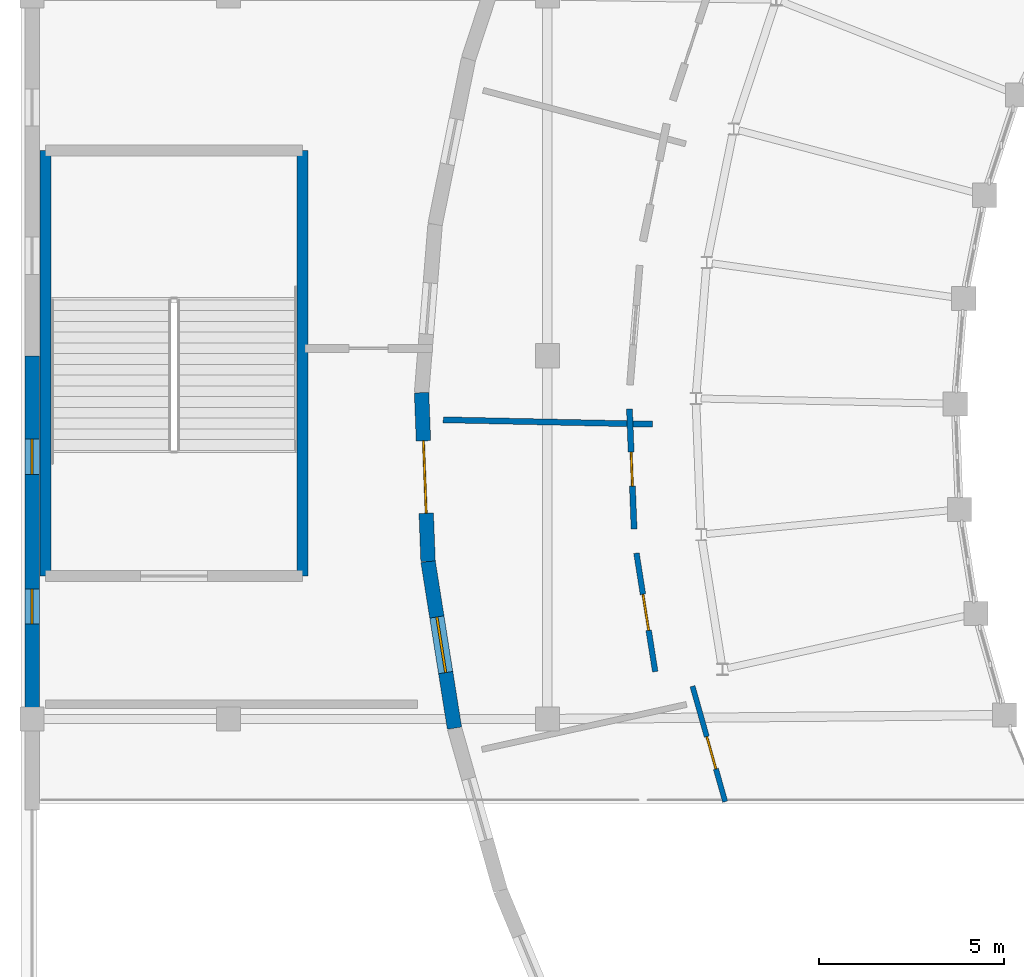
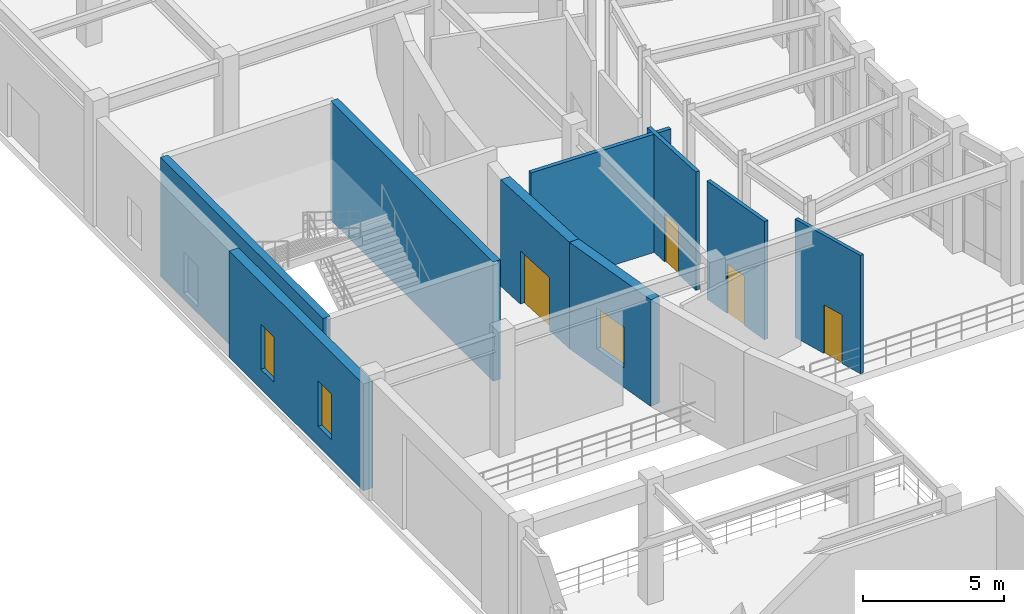
# One storey, part 52 of 93: 9 walls, 4 doors, 3 windows, 7 openings.
"""IFC4 building model written with IfcOpenShell, lengths in metres."""

import ifcopenshell
import ifcopenshell.guid

model = None  # the IFC model being written
_history = None  # IfcOwnerHistory: only IFC2X3 demands one
_inside = {}  # id of a spatial element -> (the spatial element, [elements in it])
_under = {}  # id of a project, library or spatial element -> (it, [spatial elements below it])
_declared = {}  # id of a project -> (the project, [libraries it declares])
_typed = {}  # id of a type object -> (the type object, [elements of that type])
_made_of = {}  # id of a material, layer set ... -> (it, [elements and type objects made of it])


def new_model(schema):
    """Start an empty IFC model of exactly this schema.

    Asked for "IFC4X3", IfcOpenShell would pick the latest addendum, in which some entities
    have other attributes; the version numbers below select the first issue.
    IFC2X3 requires an IfcOwnerHistory on every rooted entity: one is made here for all.
    """
    global model, _history
    if schema == "IFC4X3":
        model = ifcopenshell.file(schema_version=(4, 3, 0, 0))
    else:
        model = ifcopenshell.file(schema=schema)
    _inside.clear()
    _under.clear()
    _declared.clear()
    _typed.clear()
    _made_of.clear()
    _history = None
    if model.schema == "IFC2X3":
        org = make("IfcOrganization", Name="unknown")
        user = make(
            "IfcPersonAndOrganization",
            ThePerson=make("IfcPerson", FamilyName="unknown"),
            TheOrganization=org,
        )
        app = make(
            "IfcApplication",
            ApplicationDeveloper=org,
            Version="unknown",
            ApplicationFullName="unknown",
            ApplicationIdentifier="unknown",
        )
        _history = make(
            "IfcOwnerHistory",
            OwningUser=user,
            OwningApplication=app,
            ChangeAction="ADDED",
            CreationDate=0,
        )
    return model


def make(cls, **values):
    """One entity of the class cls with the attributes given. An attribute that is None is left unset."""
    return model.create_entity(
        cls, **{name: value for name, value in values.items() if value is not None}
    )


def rooted(cls, **values):
    """An entity with a GlobalId (a new one), such as an element, a storey or a relation."""
    return make(cls, GlobalId=ifcopenshell.guid.new(), OwnerHistory=_history, **values)


def si_unit(unit_type, name, prefix=None):
    """IfcSIUnit, for example si_unit("LENGTHUNIT", "METRE", prefix="MILLI")."""
    return make("IfcSIUnit", UnitType=unit_type, Prefix=prefix, Name=name)


def assignment(units):
    """IfcUnitAssignment: the units of a project."""
    return None if units is None else make("IfcUnitAssignment", Units=units)


def point(xyz):
    """IfcCartesianPoint."""
    return None if xyz is None else make("IfcCartesianPoint", Coordinates=xyz)


def direction(xyz):
    """IfcDirection."""
    return None if xyz is None else make("IfcDirection", DirectionRatios=xyz)


def frame(location, z_axis=None, x_axis=None):
    """IfcAxis2Placement3D, a coordinate frame: its origin and axes. An axis left out is left unset."""
    return make(
        "IfcAxis2Placement3D",
        Location=point(location),
        Axis=direction(z_axis),
        RefDirection=direction(x_axis),
    )


def frame_2d(location, x_axis=None):
    """IfcAxis2Placement2D, a coordinate frame in the plane: its origin and x axis."""
    return make(
        "IfcAxis2Placement2D", Location=point(location), RefDirection=direction(x_axis)
    )


def origin():
    """The frame at (0, 0, 0) with its axes left unset."""
    return frame((0.0, 0.0, 0.0))


def place(relative_to, where):
    """IfcLocalPlacement: puts the frame where relative to a parent placement (None: the world)."""
    return make(
        "IfcLocalPlacement", PlacementRelTo=relative_to, RelativePlacement=where
    )


def context(
    kind, dimensions, precision=None, world=None, true_north=None, identifier=None
):
    """IfcGeometricRepresentationContext, for example the 3D "Model" context."""
    return make(
        "IfcGeometricRepresentationContext",
        ContextIdentifier=identifier,
        ContextType=kind,
        CoordinateSpaceDimension=dimensions,
        Precision=precision,
        WorldCoordinateSystem=world,
        TrueNorth=true_north,
    )


def subcontext(parent, identifier, kind, view, scale=None):
    """IfcGeometricRepresentationSubContext, for example "Body" below "Model"."""
    return make(
        "IfcGeometricRepresentationSubContext",
        ContextIdentifier=identifier,
        ContextType=kind,
        ParentContext=parent,
        TargetScale=scale,
        TargetView=view,
    )


def project(units=None, contexts=None):
    """IfcProject with its units and contexts."""
    return rooted(
        "IfcProject",
        Name="project",
        RepresentationContexts=contexts,
        UnitsInContext=assignment(units),
    )


def spatial(cls, under=None, at=None, **own):
    """A site, building, storey or space (cls), placed at a placement, below another one or the project."""
    s = rooted(cls, ObjectPlacement=at, **own)
    if under is not None:
        _under.setdefault(under.id(), (under, []))[1].append(s)
    return s


def profile(cls, at=None, kind="AREA", **sizes):
    """A parametric profile (cls). Its sizes go by their IFC names, for example OverallWidth=200.0."""
    return make(cls, ProfileType=kind, Position=at, **sizes)


def rectangle(**sizes):
    """IfcRectangleProfileDef."""
    return profile("IfcRectangleProfileDef", **sizes)


def extrude(swept, where, along, depth):
    """IfcExtrudedAreaSolid: the profile swept, set in the frame where, extruded along a direction by depth."""
    return make(
        "IfcExtrudedAreaSolid",
        SweptArea=swept,
        Position=where,
        ExtrudedDirection=direction(along),
        Depth=depth,
    )


def shape(context_of_items, identifier, shape_type, items):
    """IfcShapeRepresentation: the items that make up one representation, for example the "Body"."""
    return make(
        "IfcShapeRepresentation",
        ContextOfItems=context_of_items,
        RepresentationIdentifier=identifier,
        RepresentationType=shape_type,
        Items=items,
    )


def material(Name=None, Category=None):
    """IfcMaterial."""
    return make("IfcMaterial", Name=Name, Category=Category)


def layer(
    of_material, thickness, ventilated=None, Name=None, Category=None, Priority=None
):
    """IfcMaterialLayer: one layer of a wall or slab, of a material (None: an air gap)."""
    return make(
        "IfcMaterialLayer",
        Material=of_material,
        LayerThickness=thickness,
        IsVentilated=ventilated,
        Name=Name,
        Category=Category,
        Priority=Priority,
    )


def layer_set(layers, Name=None):
    """IfcMaterialLayerSet."""
    return make("IfcMaterialLayerSet", MaterialLayers=layers, LayerSetName=Name)


def made_of(thing, what):
    """Note that an element or type object is made of a material, layer set ...; save() writes the relation."""
    if what is not None:
        _made_of.setdefault(what.id(), (what, []))[1].append(thing)
    return thing


def type_object(cls, material=None, **own):
    """A type object (cls), such as IfcWallType, which elements share."""
    return made_of(rooted(cls, **own), material)


def element(
    cls,
    number,
    at=None,
    inside=None,
    cuts=None,
    type_object=None,
    material=None,
    context=None,
    identifier="Body",
    shape_type=None,
    held_by="IfcProductDefinitionShape",
    body=None,
    shapes=None,
    **own,
):
    """One element of the class cls, such as IfcWall. Its Tag is "e" and its number.

    at: its placement. inside: the storey or other place that contains it. cuts: it is an
    opening in that element (IfcRelVoidsElement). A single representation is given by context,
    identifier, shape_type and body (its items); several are given by shapes. held_by: the class
    of the entity that holds the representations. save() writes the other relations.
    """
    e = rooted(cls, Tag="e%d" % number, ObjectPlacement=at, **own)
    if body is not None:
        shapes = [shape(context, identifier, shape_type, body)]
    if shapes is not None:
        e.Representation = make(held_by, Representations=shapes)
    if inside is not None:
        _inside.setdefault(inside.id(), (inside, []))[1].append(e)
    if cuts is not None:
        rooted(
            "IfcRelVoidsElement", RelatingBuildingElement=cuts, RelatedOpeningElement=e
        )
    if type_object is not None:
        _typed.setdefault(type_object.id(), (type_object, []))[1].append(e)
    return made_of(e, material)


def fill(opening, filler):
    """IfcRelFillsElement: the door or window that sits in an opening."""
    return rooted(
        "IfcRelFillsElement",
        RelatingOpeningElement=opening,
        RelatedBuildingElement=filler,
    )


def aggregate(whole, parts):
    """IfcRelAggregates: a whole, such as a stair, and the parts it consists of."""
    return rooted("IfcRelAggregates", RelatingObject=whole, RelatedObjects=parts)


def save(model, path):
    """Write the relations noted so far, then the file.

    IfcRelAggregates (storeys below a building ...), IfcRelContainedInSpatialStructure (elements
    in a storey), IfcRelDefinesByType, IfcRelAssociatesMaterial and IfcRelDeclares: one each for
    every whole, place, type object, material and project.
    """
    for whole, parts in _under.values():
        aggregate(whole, parts)
    for where, things in _inside.values():
        rooted(
            "IfcRelContainedInSpatialStructure",
            RelatedElements=things,
            RelatingStructure=where,
        )
    for kind, things in _typed.values():
        rooted("IfcRelDefinesByType", RelatedObjects=things, RelatingType=kind)
    for what, things in _made_of.values():
        rooted("IfcRelAssociatesMaterial", RelatedObjects=things, RelatingMaterial=what)
    for by, libraries in _declared.values():
        rooted("IfcRelDeclares", RelatingContext=by, RelatedDefinitions=libraries)
    model.write(path)


model = new_model("IFC4")

# Units and contexts
model_context = context("Model", 3, precision=1e-05, world=origin(), true_north=direction((0.0, 1.0)))
body_context = subcontext(model_context, "Body", "Model", "MODEL_VIEW")
ifc_project = project(units=[si_unit("LENGTHUNIT", "METRE"), si_unit("AREAUNIT", "SQUARE_METRE"), si_unit("VOLUMEUNIT", "CUBIC_METRE"), si_unit("PLANEANGLEUNIT", "RADIAN"), si_unit("MASSUNIT", "GRAM", prefix="KILO")], contexts=[model_context])

# Site, building, storey
site_placement = place(None, origin())
site = spatial("IfcSite", under=ifc_project, at=site_placement, CompositionType="ELEMENT")
building_placement = place(site_placement, origin())
building = spatial("IfcBuilding", under=site, at=building_placement, Name="Cinderbank Siding Concert Hall", CompositionType="ELEMENT")
storey_placement = place(building_placement, origin())
storey = spatial("IfcBuildingStorey", under=building, at=storey_placement, Name="L01", CompositionType="ELEMENT", Elevation=0.0)

# Walls
ifc_material_1 = material(Name="Reinforced concrete AS 3600 N50 (50 MPa)", Category="concrete")
ifc_layer_1 = layer(ifc_material_1, 0.300048828125)
ifc_layer_set_1 = layer_set([ifc_layer_1], Name="Reinforced concrete AS 3600 N50 (50 MPa)")
wall_type_1 = type_object("IfcWallType", Name="WL-03 Structural Wall 300mm", PredefinedType="SHEAR", material=ifc_layer_set_1)
for number, where, z_axis, x_axis, name in (
    (1, (14.39990234375, 75.340087890625, 0.0), (0.0, 0.0, 1.0), (0.0, -1.0, 0.0), "L01 ST-09 Core Wall SIDE1"),
    (2, (7.4599609375, 63.860107421875, 0.0), (0.0, 0.0, 1.0), (0.0, 1.0, 0.0), "L01 ST-09 Core Wall SIDE2"),
):
    element("IfcWall", number, at=place(storey_placement, frame(where, z_axis=z_axis, x_axis=x_axis)), inside=storey, type_object=wall_type_1, Name=name, PredefinedType="SHEAR", context=body_context, shape_type="SweptSolid", body=[
        extrude(rectangle(XDim=11.47998046875, YDim=0.300048828125, at=frame_2d((5.739990234375, 0.0))), origin(), (0.0, 0.0, 1.0), 5.139892578125),
    ])

# Wall, opening, door
ifc_material_2 = material(Name="Sydney Hawkesbury sandstone ashlar masonry", Category="masonry")
ifc_layer_2 = layer(ifc_material_2, 0.389892578125)
ifc_layer_set_2 = layer_set([ifc_layer_2], Name="Sydney Hawkesbury sandstone ashlar masonry")
wall_type_2 = type_object("IfcWallType", Name="WL-09 Exterior Wall 390mm", PredefinedType="STANDARD", material=ifc_layer_set_2)
wall_1_placement = place(storey_placement, frame((17.6083984375, 68.80419921875, 0.0), z_axis=(0.0, 0.0, 1.0), x_axis=(0.038377542804, -0.999263310749, 0.0)))
wall_1 = element("IfcWall", 3, at=wall_1_placement, inside=storey, type_object=wall_type_2, Name="L01 Facade Wall EW-WOUT-L01-12", PredefinedType="STANDARD", context=body_context, shape_type="SweptSolid", body=[
    extrude(rectangle(XDim=4.554931640625, YDim=0.389892578125, at=frame_2d((2.27734375, 0.0))), origin(), (0.0, 0.0, 1.0), 4.60009765625),
])
opening_1_placement = place(wall_1_placement, frame((1.302490234375, 0.0, 0.0)))
opening_1 = element("IfcOpeningElement", 4, at=opening_1_placement, cuts=wall_1, Name="Opening ED-D4", PredefinedType="OPENING", context=body_context, shape_type="SweptSolid", body=[
    extrude(rectangle(XDim=1.949951171875, YDim=2.300048828125, at=frame_2d((0.97509765625, 1.14990234375))), frame((0.0, 0.20703125, 0.0), z_axis=(0.0, -1.0, 0.0), x_axis=(1.0, 0.0, 0.0)), (0.0, 0.0, 1.0), 0.413818359375),
])
ifc_material_3 = material(Name="Galvanised sheet steel acoustic fire door assembly", Category="steel")
door_type_1 = type_object("IfcDoorType", Name="ED-D4 Exterior Door 1950x2300", OperationType="DOUBLE_DOOR_SINGLE_SWING", PredefinedType="DOOR", material=ifc_material_3)
door_1_placement = place(opening_1_placement, origin())
door_1 = element("IfcDoor", 5, at=door_1_placement, inside=storey, type_object=door_type_1, Name="Artists Wing Exit Door W12", OperationType="DOUBLE_DOOR_SINGLE_SWING", OverallHeight=2.300048828125, OverallWidth=1.949951171875, PredefinedType="DOOR", context=body_context, shape_type="SweptSolid", body=[
    extrude(rectangle(XDim=1.949951171875, YDim=2.300048828125, at=frame_2d((0.97509765625, 1.14990234375))), frame((0.0, 0.02490234375, 0.0), z_axis=(0.0, -1.0, 0.0), x_axis=(1.0, 0.0, 0.0)), (0.0, 0.0, 1.0), 0.050048828125),
])
fill(opening_1, door_1)

# Wall, opening, window
wall_2_placement = place(storey_placement, frame((17.783203125, 64.252685546875, 0.0), z_axis=(0.0, 0.0, 1.0), x_axis=(0.156466273676, -0.987683302077, 0.0)))
wall_2 = element("IfcWall", 6, at=wall_2_placement, inside=storey, type_object=wall_type_2, Name="L01 Facade Wall EW-WOUT-L01-13", PredefinedType="STANDARD", context=body_context, shape_type="SweptSolid", body=[
    extrude(rectangle(XDim=4.5546875, YDim=0.389892578125, at=frame_2d((2.27734375, 0.0))), origin(), (0.0, 0.0, 1.0), 4.60009765625),
])
opening_2_placement = place(wall_2_placement, frame((1.517333984375, 0.0, 0.85009765625)))
opening_2 = element("IfcOpeningElement", 7, at=opening_2_placement, cuts=wall_2, Name="Opening WN-22", PredefinedType="OPENING", context=body_context, shape_type="SweptSolid", body=[
    extrude(rectangle(XDim=1.52001953125, YDim=1.75, at=frame_2d((0.760009765625, 0.875))), frame((0.0, 0.20703125, 0.0), z_axis=(0.0, -1.0, 0.0), x_axis=(1.0, 0.0, 0.0)), (0.0, 0.0, 1.0), 0.413818359375),
])
ifc_material_4 = material(Name="Double-glazed laminated acoustic glass", Category="glass")
window_type_1 = type_object("IfcWindowType", Name="WN-22 Acoustic Casement Window 1520x1750", PartitioningType="DOUBLE_PANEL_VERTICAL", PredefinedType="WINDOW", material=ifc_material_4)
window_1_placement = place(opening_2_placement, origin())
window_1 = element("IfcWindow", 8, at=window_1_placement, inside=storey, type_object=window_type_1, Name="L01 Facade Window #8", OverallHeight=1.75, OverallWidth=1.52001953125, PartitioningType="DOUBLE_PANEL_VERTICAL", PredefinedType="WINDOW", context=body_context, shape_type="SweptSolid", body=[
    extrude(rectangle(XDim=1.52001953125, YDim=1.75, at=frame_2d((0.760009765625, 0.875))), frame((0.0, 0.030029296875, 0.0), z_axis=(0.0, -1.0, 0.0), x_axis=(1.0, 0.0, 0.0)), (0.0, 0.0, 1.0), 0.06005859375),
])
fill(opening_2, window_1)

# Wall, openings, windows
wall_3_placement = place(storey_placement, frame((7.10009765625, 60.31005859375, 0.0), z_axis=(0.0, 0.0, 1.0), x_axis=(0.0, 1.0, 0.0)))
wall_3 = element("IfcWall", 9, at=wall_3_placement, inside=storey, type_object=wall_type_2, Name="L01 Facade Wall EW-WL-W2-L01", PredefinedType="STANDARD", context=body_context, shape_type="SweptSolid", body=[
    extrude(rectangle(XDim=9.489990234375, YDim=0.389892578125, at=frame_2d((4.7451171875, 0.0))), origin(), (0.0, 0.0, 1.0), 4.60009765625),
])
opening_3_placement = place(wall_3_placement, frame((2.24755859375, 0.0, 0.85009765625)))
opening_3 = element("IfcOpeningElement", 10, at=opening_3_placement, cuts=wall_3, Name="Opening WN-10", PredefinedType="OPENING", context=body_context, shape_type="SweptSolid", body=[
    extrude(rectangle(XDim=0.949951171875, YDim=1.949951171875, at=frame_2d((0.47509765625, 0.97509765625))), frame((0.0, 0.20703125, 0.0), z_axis=(0.0, -1.0, 0.0), x_axis=(1.0, 0.0, 0.0)), (0.0, 0.0, 1.0), 0.413818359375),
])
opening_4_placement = place(wall_3_placement, frame((6.29248046875, 0.0, 0.85009765625)))
opening_4 = element("IfcOpeningElement", 11, at=opening_4_placement, cuts=wall_3, Name="Opening WN-10", PredefinedType="OPENING", context=body_context, shape_type="SweptSolid", body=[
    extrude(rectangle(XDim=0.949951171875, YDim=1.949951171875, at=frame_2d((0.47509765625, 0.97509765625))), frame((0.0, 0.20703125, 0.0), z_axis=(0.0, -1.0, 0.0), x_axis=(1.0, 0.0, 0.0)), (0.0, 0.0, 1.0), 0.413818359375),
])
window_type_2 = type_object("IfcWindowType", Name="WN-10 Acoustic Casement Window 950x1950", PartitioningType="DOUBLE_PANEL_VERTICAL", PredefinedType="WINDOW", material=ifc_material_4)
window_2_placement = place(opening_3_placement, origin())
window_2 = element("IfcWindow", 12, at=window_2_placement, inside=storey, type_object=window_type_2, Name="L01 Facade Window #88", OverallHeight=1.949951171875, OverallWidth=0.949951171875, PartitioningType="DOUBLE_PANEL_VERTICAL", PredefinedType="WINDOW", context=body_context, shape_type="SweptSolid", body=[
    extrude(rectangle(XDim=0.949951171875, YDim=1.949951171875, at=frame_2d((0.47509765625, 0.97509765625))), frame((0.0, 0.030029296875, 0.0), z_axis=(0.0, -1.0, 0.0), x_axis=(1.0, 0.0, 0.0)), (0.0, 0.0, 1.0), 0.06005859375),
])
fill(opening_3, window_2)
window_3_placement = place(opening_4_placement, origin())
window_3 = element("IfcWindow", 13, at=window_3_placement, inside=storey, type_object=window_type_2, Name="L01 Facade Window #89", OverallHeight=1.949951171875, OverallWidth=0.949951171875, PartitioningType="DOUBLE_PANEL_VERTICAL", PredefinedType="WINDOW", context=body_context, shape_type="SweptSolid", body=[
    extrude(rectangle(XDim=0.949951171875, YDim=1.949951171875, at=frame_2d((0.47509765625, 0.97509765625))), frame((0.0, 0.030029296875, 0.0), z_axis=(0.0, -1.0, 0.0), x_axis=(1.0, 0.0, 0.0)), (0.0, 0.0, 1.0), 0.06005859375),
])
fill(opening_4, window_3)

# Wall
ifc_material_5 = material(Name="Acoustic plasterboard on light-gauge steel studs", Category="gypsum")
ifc_layer_3 = layer(ifc_material_5, 0.159912109375)
ifc_layer_set_3 = layer_set([ifc_layer_3], Name="Acoustic plasterboard on light-gauge steel studs")
wall_type_3 = type_object("IfcWallType", Name="WL-14 Interior Wall 160mm", PredefinedType="PARTITIONING", material=ifc_layer_set_3)
wall_4_placement = place(storey_placement, frame((23.842041015625, 67.953369140625, 0.0), z_axis=(0.0, 0.0, 1.0), x_axis=(-0.999780386636, 0.020956586028, 0.0)))
element("IfcWall", 14, at=wall_4_placement, inside=storey, type_object=wall_type_3, Name="L01 Radial Studio Demising Wall W12", PredefinedType="PARTITIONING", context=body_context, shape_type="SweptSolid", body=[
    extrude(rectangle(XDim=5.650146484375, YDim=0.159912109375, at=frame_2d((2.8251953125, 0.0))), origin(), (0.0, 0.0, 1.0), 5.10498046875),
])

# Wall, opening, door
wall_5_placement = place(storey_placement, frame((23.216552734375, 68.3603515625, 0.0), z_axis=(0.0, 0.0, 1.0), x_axis=(0.038386780722, -0.999262955916, 0.0)))
wall_5 = element("IfcWall", 15, at=wall_5_placement, inside=storey, type_object=wall_type_3, Name="L01 Partition Studio Bay W12", PredefinedType="PARTITIONING", context=body_context, shape_type="SweptSolid", body=[
    extrude(rectangle(XDim=3.2373046875, YDim=0.159912109375, at=frame_2d((1.61865234375, 0.0))), origin(), (0.0, 0.0, 1.0), 5.10498046875),
])
opening_5_placement = place(wall_5_placement, frame((1.158447265625, 0.0, 0.0)))
opening_5 = element("IfcOpeningElement", 16, at=opening_5_placement, cuts=wall_5, Name="Opening D-09", PredefinedType="OPENING", context=body_context, shape_type="SweptSolid", body=[
    extrude(rectangle(XDim=0.919921875, YDim=2.10009765625, at=frame_2d((0.4599609375, 1.050048828125))), frame((0.0, 0.091796875, 0.0), z_axis=(0.0, -1.0, 0.0), x_axis=(1.0, 0.0, 0.0)), (0.0, 0.0, 1.0), 0.183837890625),
])
ifc_material_6 = material(Name="Solid-core spotted gum acoustic timber", Category="wood")
door_type_2 = type_object("IfcDoorType", Name="D-09 Interior Door 920x2100", OperationType="NOTDEFINED", PredefinedType="DOOR", material=ifc_material_6)
door_2_placement = place(opening_5_placement, origin())
door_2 = element("IfcDoor", 17, at=door_2_placement, inside=storey, type_object=door_type_2, Name="L01 Studio Bay W12 Door L01-D196", OperationType="SINGLE_SWING_LEFT", OverallHeight=2.10009765625, OverallWidth=0.919921875, PredefinedType="DOOR", context=body_context, shape_type="SweptSolid", body=[
    extrude(rectangle(XDim=0.919921875, YDim=2.10009765625, at=frame_2d((0.4599609375, 1.050048828125))), frame((0.0, 0.02490234375, 0.0), z_axis=(0.0, -1.0, 0.0), x_axis=(1.0, 0.0, 0.0)), (0.0, 0.0, 1.0), 0.050048828125),
])
fill(opening_5, door_2)

ifc_layer_4 = layer(ifc_material_5, 0.14990234375)
ifc_layer_set_4 = layer_set([ifc_layer_4], Name="Acoustic plasterboard on light-gauge steel studs")
wall_type_4 = type_object("IfcWallType", Name="WL-15 Interior Wall 150mm", PredefinedType="PARTITIONING", material=ifc_layer_set_4)
wall_6_placement = place(storey_placement, frame((23.404541015625, 64.47607421875, 0.0), z_axis=(0.0, 0.0, 1.0), x_axis=(0.156419556763, -0.987690701719, 0.0)))
wall_6 = element("IfcWall", 18, at=wall_6_placement, inside=storey, type_object=wall_type_4, Name="L01 Partition Studio Bay W13", PredefinedType="PARTITIONING", context=body_context, shape_type="SweptSolid", body=[
    extrude(rectangle(XDim=3.237060546875, YDim=0.14990234375, at=frame_2d((1.61865234375, 0.0))), origin(), (0.0, 0.0, 1.0), 5.10498046875),
])
opening_6_placement = place(wall_6_placement, frame((1.12841796875, 0.0, 0.0)))
opening_6 = element("IfcOpeningElement", 19, at=opening_6_placement, cuts=wall_6, Name="Opening D-10", PredefinedType="OPENING", context=body_context, shape_type="SweptSolid", body=[
    extrude(rectangle(XDim=0.97998046875, YDim=2.14990234375, at=frame_2d((0.489990234375, 1.074951171875))), frame((0.0, 0.0869140625, 0.0), z_axis=(0.0, -1.0, 0.0), x_axis=(1.0, 0.0, 0.0)), (0.0, 0.0, 1.0), 0.173828125),
])
door_type_3 = type_object("IfcDoorType", Name="D-10 Interior Door 980x2150", OperationType="NOTDEFINED", PredefinedType="DOOR", material=ifc_material_6)
door_3_placement = place(opening_6_placement, origin())
door_3 = element("IfcDoor", 20, at=door_3_placement, inside=storey, type_object=door_type_3, Name="L01 Studio Bay W13 Door L01-D197", OperationType="SINGLE_SWING_RIGHT", OverallHeight=2.14990234375, OverallWidth=0.97998046875, PredefinedType="DOOR", context=body_context, shape_type="SweptSolid", body=[
    extrude(rectangle(XDim=0.97998046875, YDim=2.14990234375, at=frame_2d((0.489990234375, 1.074951171875))), frame((0.0, 0.02490234375, 0.0), z_axis=(0.0, -1.0, 0.0), x_axis=(1.0, 0.0, 0.0)), (0.0, 0.0, 1.0), 0.050048828125),
])
fill(opening_6, door_3)

ifc_layer_5 = layer(ifc_material_5, 0.139892578125)
ifc_layer_set_5 = layer_set([ifc_layer_5], Name="Acoustic plasterboard on light-gauge steel studs")
wall_type_5 = type_object("IfcWallType", Name="WL-16 Interior Wall 140mm", PredefinedType="PARTITIONING", material=ifc_layer_set_5)
wall_7_placement = place(storey_placement, frame((24.9169921875, 60.886474609375, 0.0), z_axis=(0.0, 0.0, 1.0), x_axis=(0.272269765162, -0.96222095954, 0.0)))
wall_7 = element("IfcWall", 21, at=wall_7_placement, inside=storey, type_object=wall_type_5, Name="L01 Partition Studio Bay W14", PredefinedType="PARTITIONING", context=body_context, shape_type="SweptSolid", body=[
    extrude(rectangle(XDim=3.237060546875, YDim=0.139892578125, at=frame_2d((1.61865234375, 0.0))), origin(), (0.0, 0.0, 1.0), 5.10498046875),
])
opening_7_placement = place(wall_7_placement, frame((1.41845703125, 0.0, 0.0)))
opening_7 = element("IfcOpeningElement", 22, at=opening_7_placement, cuts=wall_7, Name="Opening D-15", PredefinedType="OPENING", context=body_context, shape_type="SweptSolid", body=[
    extrude(rectangle(XDim=0.89990234375, YDim=2.10009765625, at=frame_2d((0.449951171875, 1.050048828125))), frame((0.0, 0.08203125, 0.0), z_axis=(0.0, -1.0, 0.0), x_axis=(1.0, 0.0, 0.0)), (0.0, 0.0, 1.0), 0.163818359375),
])
door_type_4 = type_object("IfcDoorType", Name="D-15 Interior Door 900x2100", OperationType="NOTDEFINED", PredefinedType="DOOR", material=ifc_material_6)
door_4_placement = place(opening_7_placement, origin())
door_4 = element("IfcDoor", 23, at=door_4_placement, inside=storey, type_object=door_type_4, Name="L01 Studio Bay W14 Door L01-D198", OperationType="SINGLE_SWING_LEFT", OverallHeight=2.10009765625, OverallWidth=0.89990234375, PredefinedType="DOOR", context=body_context, shape_type="SweptSolid", body=[
    extrude(rectangle(XDim=0.89990234375, YDim=2.10009765625, at=frame_2d((0.449951171875, 1.050048828125))), frame((0.0, 0.02490234375, 0.0), z_axis=(0.0, -1.0, 0.0), x_axis=(1.0, 0.0, 0.0)), (0.0, 0.0, 1.0), 0.050048828125),
])
fill(opening_7, door_4)

save(model, "model.ifc")
